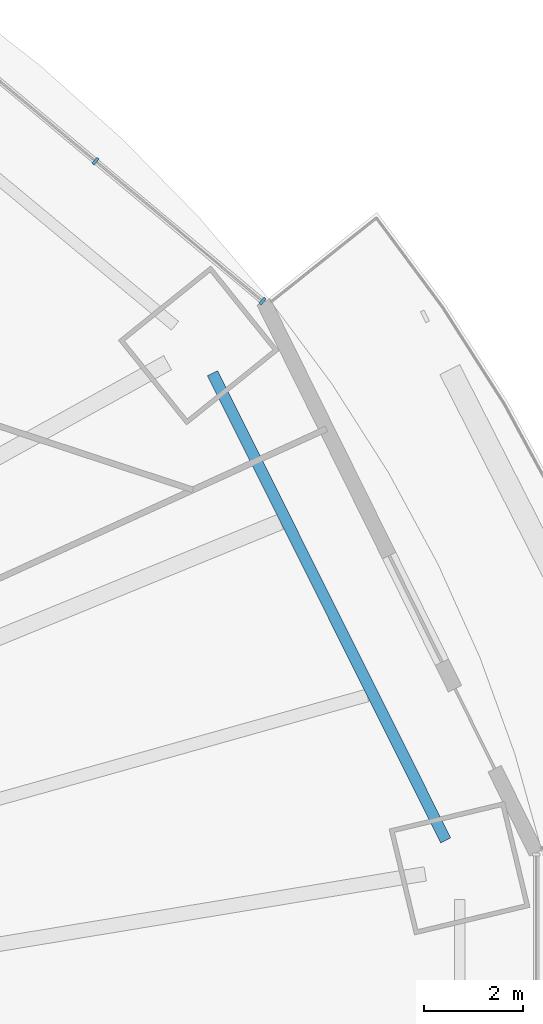
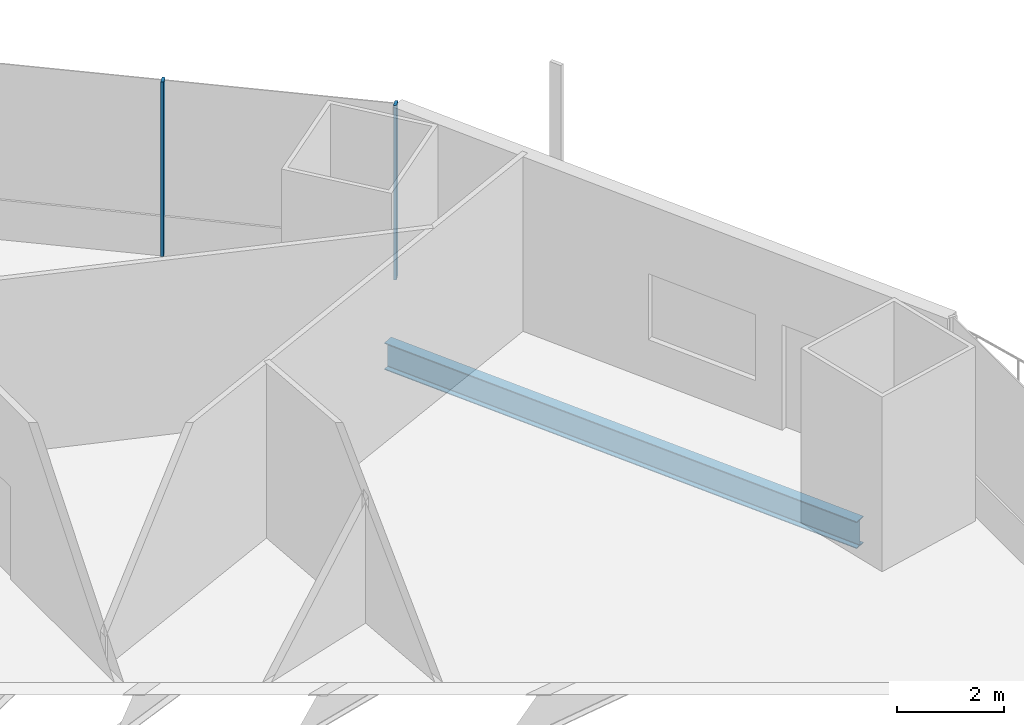
# One storey, part 12 of 23: 2 members, 1 beam, 1 element without a shape of its own.
"""IFC4 building model written with IfcOpenShell, lengths in metres."""

from ifc_helpers import new_model, si_unit, direction, frame, origin, origin_2d, place, context, subcontext, project, spatial, rectangle, i_section, extrude, material, material_profile, profile_set, type_object, element, aggregate, save


model = new_model("IFC4")

# Units and contexts
model_context = context("Model", 3, precision=1e-05, world=origin(), true_north=direction((0.0, 1.0)))
body_context = subcontext(model_context, "Body", "Model", "MODEL_VIEW")
ifc_project = project(units=[si_unit("LENGTHUNIT", "METRE"), si_unit("AREAUNIT", "SQUARE_METRE"), si_unit("VOLUMEUNIT", "CUBIC_METRE"), si_unit("PLANEANGLEUNIT", "RADIAN"), si_unit("MASSUNIT", "GRAM", prefix="KILO")], contexts=[model_context])

# Site, building, storey
site_placement = place(None, origin())
site = spatial("IfcSite", under=ifc_project, at=site_placement, CompositionType="ELEMENT")
building_placement = place(site_placement, origin())
building = spatial("IfcBuilding", under=site, at=building_placement, Name="Marenthal Gate Tower", CompositionType="ELEMENT")
storey_placement = place(building_placement, frame((0.0, 0.0, 41.300048828125)))
storey = spatial("IfcBuildingStorey", under=building, at=storey_placement, Name="L06", CompositionType="ELEMENT", Elevation=41.300048828125)

# Curtain wall, members
ifc_material_1 = material(Name="Aluminium and glass", Category="aluminium")
curtain_wall_type = type_object("IfcCurtainWallType", Name="Curtain wall typical low", PredefinedType="NOTDEFINED", material=ifc_material_1)
curtain_wall_placement = place(storey_placement, origin())
curtain_wall = element("IfcCurtainWall", 1, at=curtain_wall_placement, inside=storey, type_object=curtain_wall_type, Name="Curtain wall L06 bay 2", PredefinedType="NOTDEFINED")
ifc_material_2 = material(Name="Aluminium", Category="aluminium")
ifc_material_profile_1 = material_profile(ifc_material_2, rectangle(XDim=0.159912109375, YDim=0.06005859375, at=origin_2d()), Name="60x160 aluminium mullion")
ifc_profile_set_1 = profile_set([ifc_material_profile_1], Name="Aluminium")
member_type = type_object("IfcMemberType", Name="Mullion 60x160 typical low", PredefinedType="MULLION", material=ifc_profile_set_1)
member_1_placement = place(storey_placement, frame((30.6416015625, 17.17529296875, 0.0), z_axis=(0.0, 0.0, 1.0), x_axis=(-0.641982192245, -0.76671954771, 0.0)))
member_1 = element("IfcMember", 2, at=member_1_placement, type_object=member_type, Name="Mullion L06 bay 2.1", PredefinedType="MULLION", context=body_context, shape_type="SweptSolid", body=[
    extrude(rectangle(XDim=0.159912109375, YDim=0.06005859375, at=origin_2d()), origin(), (0.0, 0.0, 1.0), 3.969970703125),
])
member_2_placement = place(storey_placement, frame((27.26513671875, 20.00244140625, 0.0), z_axis=(0.0, 0.0, 1.0), x_axis=(-0.641982192245, -0.76671954771, 0.0)))
member_2 = element("IfcMember", 3, at=member_2_placement, type_object=member_type, Name="Mullion L06 bay 2.2", PredefinedType="MULLION", context=body_context, shape_type="SweptSolid", body=[
    extrude(rectangle(XDim=0.159912109375, YDim=0.06005859375, at=origin_2d()), origin(), (0.0, 0.0, 1.0), 3.969970703125),
])
aggregate(curtain_wall, [member_1, member_2])

# Beam
ifc_material_3 = material(Name="Steel S355", Category="steel")
ifc_material_profile_2 = material_profile(ifc_material_3, i_section(OverallWidth=0.22900390625, OverallDepth=0.612060546875, WebThickness=0.011962890625, FlangeThickness=0.01953125, FilletRadius=0.0126953125, at=origin_2d()), Name="W610X125")
ifc_profile_set_2 = profile_set([ifc_material_profile_2], Name="Steel S355")
beam_type = type_object("IfcBeamType", Name="W610X125 beam", PredefinedType="BEAM", material=ifc_profile_set_2)
beam_placement = place(storey_placement, frame((34.3408203125, 6.279052734375, -0.486083984375), z_axis=(-0.446519173672, 0.894774065082, 0.0), x_axis=(-0.894774065082, -0.446519173672, 0.0)))
element("IfcBeam", 4, at=beam_placement, inside=storey, type_object=beam_type, Name="BM-L06-41", PredefinedType="BEAM", context=body_context, shape_type="SweptSolid", body=[
    extrude(i_section(OverallWidth=0.22900390625, OverallDepth=0.612060546875, WebThickness=0.011962890625, FlangeThickness=0.01953125, FilletRadius=0.0126953125, at=origin_2d()), origin(), (0.0, 0.0, 1.0), 10.54931640625),
])

save(model, "model.ifc")
